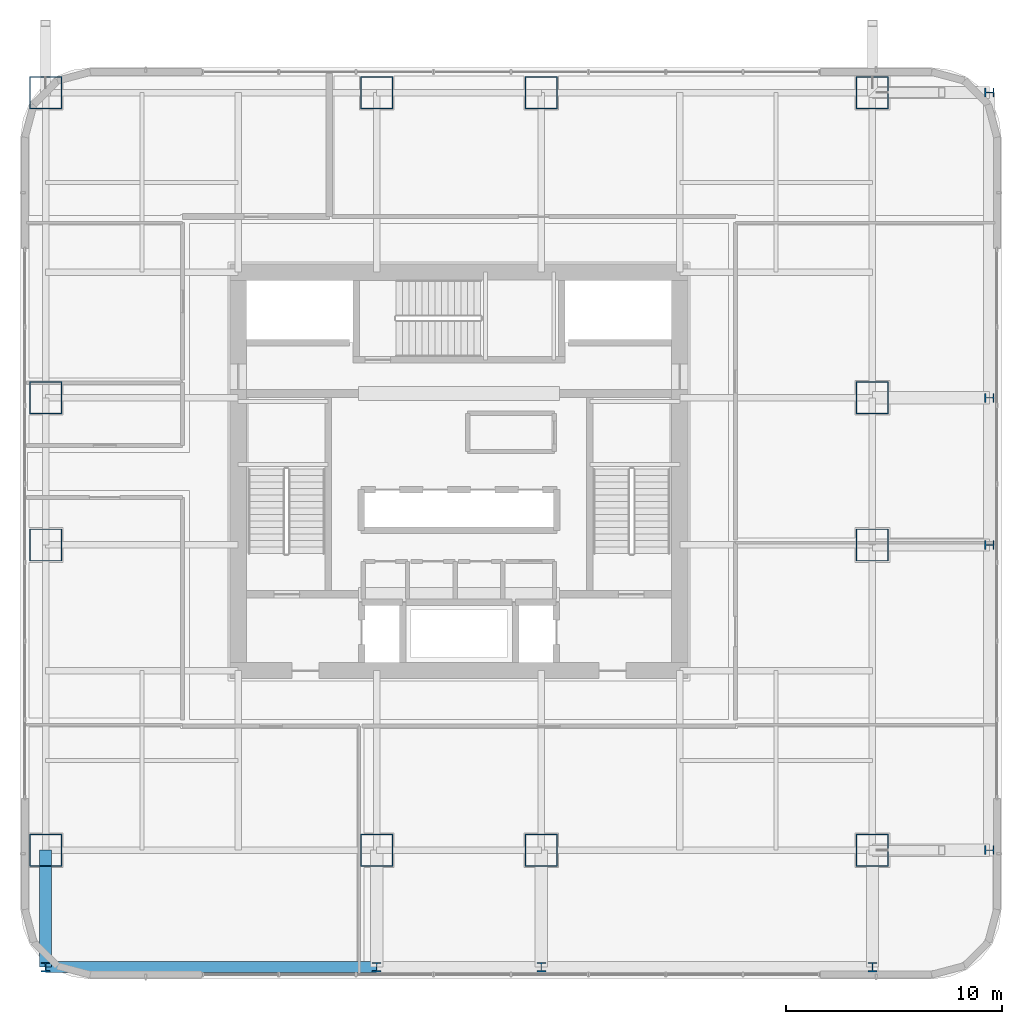
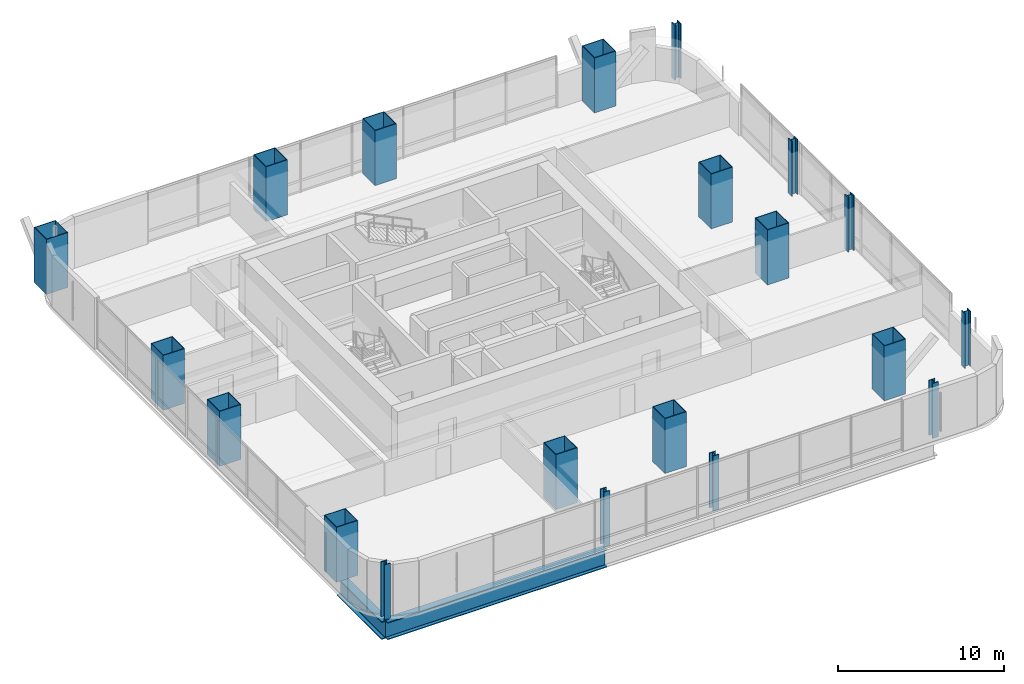
# One storey, part 1 of 42: 20 columns, 2 beams.
"""IFC4 building model written with IfcOpenShell, lengths in metres."""

from ifc_helpers import new_model, si_unit, direction, frame, origin, origin_2d, place, context, subcontext, project, spatial, hollow_rectangle, i_section, extrude, material, material_profile, profile_set, type_object, element, save


model = new_model("IFC4")

# Units and contexts
model_context = context("Model", 3, precision=1e-05, world=origin(), true_north=direction((0.0, 1.0)))
body_context = subcontext(model_context, "Body", "Model", "MODEL_VIEW")
ifc_project = project(units=[si_unit("LENGTHUNIT", "METRE"), si_unit("AREAUNIT", "SQUARE_METRE"), si_unit("VOLUMEUNIT", "CUBIC_METRE"), si_unit("PLANEANGLEUNIT", "RADIAN"), si_unit("MASSUNIT", "GRAM", prefix="KILO")], contexts=[model_context])

# Site, building, storey
site_placement = place(None, origin())
site = spatial("IfcSite", under=ifc_project, at=site_placement, CompositionType="ELEMENT")
building_placement = place(site_placement, origin())
building = spatial("IfcBuilding", under=site, at=building_placement, Name="Punatoya Terracotta Tower", CompositionType="ELEMENT")
storey_placement = place(building_placement, frame((0.0, 0.0, 88.949951171875)))
storey = spatial("IfcBuildingStorey", under=building, at=storey_placement, Name="L20", CompositionType="ELEMENT", Elevation=88.949951171875)

# Columns
ifc_material = material(Name="Steel S460", Category="steel")
ifc_material_profile_1 = material_profile(ifc_material, i_section(OverallWidth=0.416015625, OverallDepth=0.446044921875, WebThickness=0.0390625, FlangeThickness=0.06201171875, FilletRadius=0.01806640625, at=origin_2d()))
ifc_profile_set_1 = profile_set([ifc_material_profile_1], Name="Steel S460")
column_type_1 = type_object("IfcColumnType", Name="COL-EX-M1", PredefinedType="COLUMN", material=ifc_profile_set_1)
for number, where, z_axis, x_axis, name in (
    (1, (-19.10009765625, -22.89990234375, 0.0), (0.0, 0.0, 1.0), (1.0, 0.0, 0.0), "L20 Exoskeleton Perimeter Column S1"),
    (2, (-3.800048828125, -22.89990234375, 0.0), (0.0, 0.0, 1.0), (1.0, 0.0, 0.0), "L20 Exoskeleton Perimeter Column S2"),
    (3, (3.800048828125, -22.89990234375, 0.0), (0.0, 0.0, 1.0), (1.0, 0.0, 0.0), "L20 Exoskeleton Perimeter Column S3"),
    (4, (19.10009765625, -22.89990234375, 0.0), (0.0, 0.0, 1.0), (1.0, 0.0, 0.0), "L20 Exoskeleton Perimeter Column S4"),
    (5, (24.5, -17.5, 0.0), (0.0, 0.0, 1.0), (0.0, 1.0, 0.0), "L20 Exoskeleton Perimeter Column E1"),
    (6, (24.5, -3.39990234375, 0.0), (0.0, 0.0, 1.0), (0.0, 1.0, 0.0), "L20 Exoskeleton Perimeter Column E2"),
    (7, (24.5, 3.39990234375, 0.0), (0.0, 0.0, 1.0), (0.0, 1.0, 0.0), "L20 Exoskeleton Perimeter Column E3"),
    (8, (24.5, 17.5, 0.0), (0.0, 0.0, 1.0), (0.0, 1.0, 0.0), "L20 Exoskeleton Perimeter Column E4"),
):
    element("IfcColumn", number, at=place(storey_placement, frame(where, z_axis=z_axis, x_axis=x_axis)), inside=storey, type_object=column_type_1, Name=name, PredefinedType="COLUMN", context=body_context, shape_type="SweptSolid", body=[
        extrude(i_section(OverallWidth=0.416015625, OverallDepth=0.446044921875, WebThickness=0.0390625, FlangeThickness=0.06201171875, FilletRadius=0.01806640625, at=origin_2d()), origin(), (0.0, 0.0, 1.0), 4.048095703125),
    ])
ifc_material_profile_2 = material_profile(ifc_material, hollow_rectangle(XDim=1.5, YDim=1.5, WallThickness=0.044921875, at=origin_2d()))
ifc_profile_set_2 = profile_set([ifc_material_profile_2], Name="Steel S460")
column_type_2 = type_object("IfcColumnType", Name="COL-MC-Z1", PredefinedType="COLUMN", material=ifc_profile_set_2)
for number, where, z_axis, x_axis, name in (
    (9, (-19.10009765625, -17.5, 0.0), (0.0, 0.0, 1.0), (1.0, 0.0, 0.0), "L20 Composite Mega-Column MC-01 (3-B)"),
    (10, (-3.800048828125, -17.5, 0.0), (0.0, 0.0, 1.0), (1.0, 0.0, 0.0), "L20 Composite Mega-Column MC-02 (5-B)"),
    (11, (3.800048828125, -17.5, 0.0), (0.0, 0.0, 1.0), (1.0, 0.0, 0.0), "L20 Composite Mega-Column MC-03 (7-B)"),
    (12, (19.10009765625, -17.5, 0.0), (0.0, 0.0, 1.0), (1.0, 0.0, 0.0), "L20 Composite Mega-Column MC-04 (9-B)"),
    (13, (19.10009765625, -3.39990234375, 0.0), (0.0, 0.0, 1.0), (1.0, 0.0, 0.0), "L20 Composite Mega-Column MC-05 (9-D)"),
    (14, (19.10009765625, 3.39990234375, 0.0), (0.0, 0.0, 1.0), (1.0, 0.0, 0.0), "L20 Composite Mega-Column MC-06 (9-E)"),
    (15, (19.10009765625, 17.5, 0.0), (0.0, 0.0, 1.0), (1.0, 0.0, 0.0), "L20 Composite Mega-Column MC-07 (9-G)"),
    (16, (3.800048828125, 17.5, 0.0), (0.0, 0.0, 1.0), (1.0, 0.0, 0.0), "L20 Composite Mega-Column MC-08 (7-G)"),
    (17, (-3.800048828125, 17.5, 0.0), (0.0, 0.0, 1.0), (1.0, 0.0, 0.0), "L20 Composite Mega-Column MC-09 (5-G)"),
    (18, (-19.10009765625, 17.5, 0.0), (0.0, 0.0, 1.0), (1.0, 0.0, 0.0), "L20 Composite Mega-Column MC-10 (3-G)"),
    (19, (-19.10009765625, 3.39990234375, 0.0), (0.0, 0.0, 1.0), (1.0, 0.0, 0.0), "L20 Composite Mega-Column MC-11 (3-E)"),
    (20, (-19.10009765625, -3.39990234375, 0.0), (0.0, 0.0, 1.0), (1.0, 0.0, 0.0), "L20 Composite Mega-Column MC-12 (3-D)"),
):
    element("IfcColumn", number, at=place(storey_placement, frame(where, z_axis=z_axis, x_axis=x_axis)), inside=storey, type_object=column_type_2, Name=name, PredefinedType="COLUMN", context=body_context, shape_type="SweptSolid", body=[
        extrude(hollow_rectangle(XDim=1.5, YDim=1.5, WallThickness=0.044921875, at=origin_2d()), origin(), (0.0, 0.0, 1.0), 4.050048828125),
    ])

# Beams
ifc_material_profile_3 = material_profile(ifc_material, i_section(OverallWidth=0.56005859375, OverallDepth=1.320068359375, WebThickness=0.035888671875, FlangeThickness=0.054931640625, FilletRadius=0.01806640625, at=origin_2d()))
ifc_profile_set_3 = profile_set([ifc_material_profile_3], Name="Steel S460")
beam_type_1 = type_object("IfcBeamType", Name="BM-TG-BLK", PredefinedType="BEAM", material=ifc_profile_set_3)
beam_1_placement = place(storey_placement, frame((-19.10009765625, -22.89990234375, -0.89990234375), z_axis=(0.0, 1.0, 0.0), x_axis=(-1.0, 0.0, 0.0)))
element("IfcBeam", 21, at=beam_1_placement, inside=storey, type_object=beam_type_1, Name="BM-L20-CANT-S1", PredefinedType="BEAM", context=body_context, shape_type="SweptSolid", body=[
    extrude(i_section(OverallWidth=0.56005859375, OverallDepth=1.320068359375, WebThickness=0.035888671875, FlangeThickness=0.054931640625, FilletRadius=0.01806640625, at=origin_2d()), origin(), (0.0, 0.0, 1.0), 5.39990234375),
])
ifc_material_profile_4 = material_profile(ifc_material, i_section(OverallWidth=0.52001953125, OverallDepth=1.280029296875, WebThickness=0.031982421875, FlangeThickness=0.050048828125, FilletRadius=0.01806640625, at=origin_2d()))
ifc_profile_set_4 = profile_set([ifc_material_profile_4], Name="Steel S460")
beam_type_2 = type_object("IfcBeamType", Name="BM-TG-NCK", PredefinedType="BEAM", material=ifc_profile_set_4)
beam_2_placement = place(storey_placement, frame((-19.10009765625, -22.89990234375, -0.8798828125), z_axis=(1.0, 0.0, 0.0), x_axis=(0.0, 1.0, 0.0)))
element("IfcBeam", 22, at=beam_2_placement, inside=storey, type_object=beam_type_2, Name="BM-L20-PER-S1", PredefinedType="BEAM", context=body_context, shape_type="SweptSolid", body=[
    extrude(i_section(OverallWidth=0.52001953125, OverallDepth=1.280029296875, WebThickness=0.031982421875, FlangeThickness=0.050048828125, FilletRadius=0.01806640625, at=origin_2d()), origin(), (0.0, 0.0, 1.0), 15.300048828125),
])

save(model, "model.ifc")
